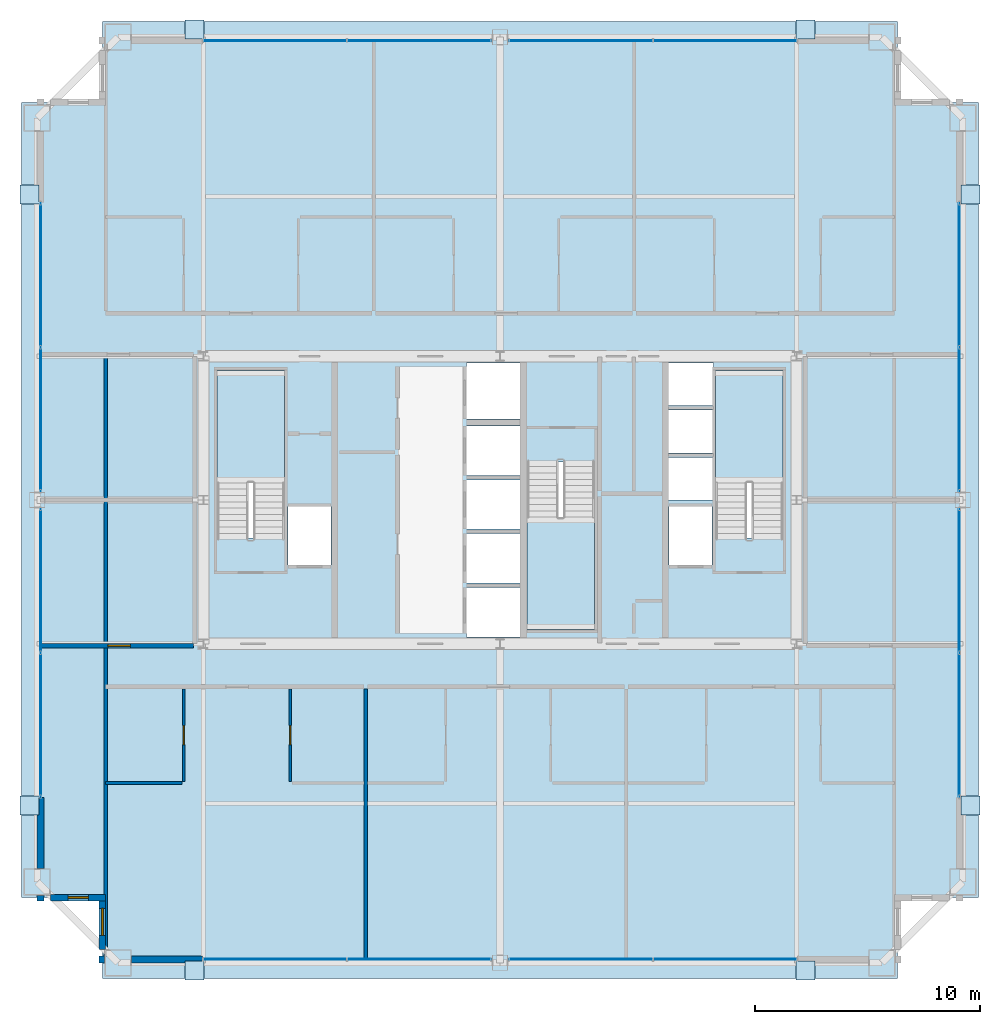
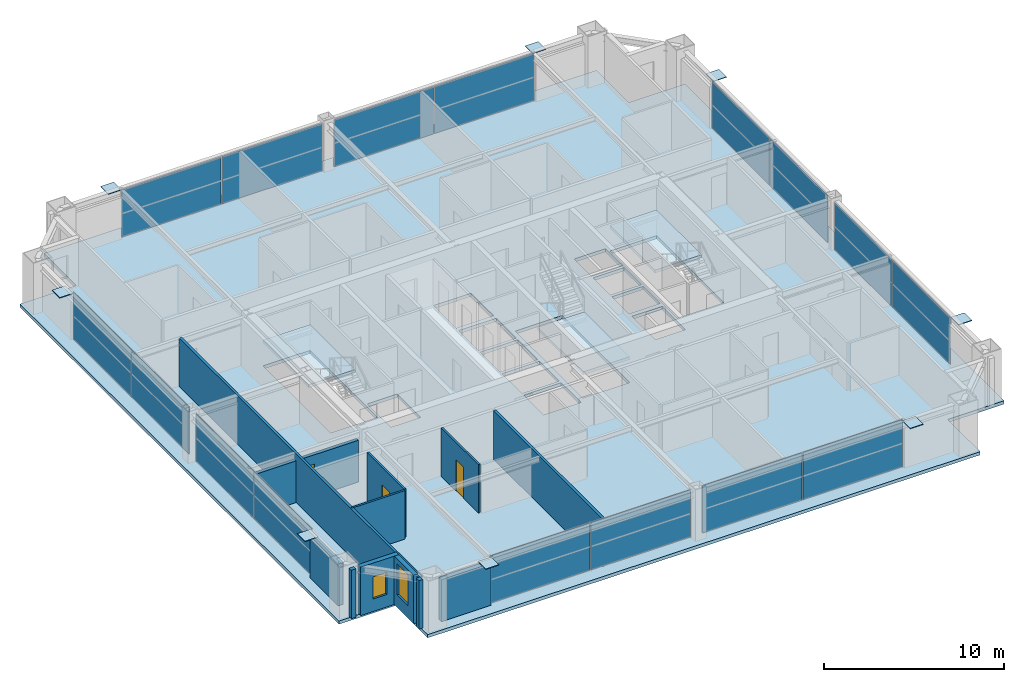
# One storey, part 31 of 36: 24 plates, 12 walls, 4 slabs, 3 doors, 2 windows, 5 openings, 11 elements without a shape of their own.
"""IFC4 building model written with IfcOpenShell, lengths in metres."""

from ifc_helpers import new_model, si_unit, direction, frame, frame_2d, origin, origin_2d, place, context, subcontext, project, spatial, polyline, rectangle, outline, extrude, source, transform, mapped, material, layer, layer_set, type_object, element, fill, aggregate, save


model = new_model("IFC4")

# Units and contexts
model_context = context("Model", 3, precision=1e-05, world=origin(), true_north=direction((0.0, 1.0)))
body_context = subcontext(model_context, "Body", "Model", "MODEL_VIEW")
ifc_project = project(units=[si_unit("LENGTHUNIT", "METRE"), si_unit("AREAUNIT", "SQUARE_METRE"), si_unit("VOLUMEUNIT", "CUBIC_METRE"), si_unit("PLANEANGLEUNIT", "RADIAN"), si_unit("MASSUNIT", "GRAM", prefix="KILO"), si_unit("THERMODYNAMICTEMPERATUREUNIT", "KELVIN"), si_unit("POWERUNIT", "WATT")], contexts=[model_context])

# Site, building, storey
site_placement = place(None, origin())
site = spatial("IfcSite", under=ifc_project, at=site_placement, CompositionType="ELEMENT")
building_placement = place(site_placement, origin())
building = spatial("IfcBuilding", under=site, at=building_placement, Name="Yuzanri Waterfront Tower", CompositionType="ELEMENT")
storey_placement = place(building_placement, frame((0.0, 0.0, 238.10009765625)))
storey = spatial("IfcBuildingStorey", under=building, at=storey_placement, Name="L63", CompositionType="ELEMENT", Elevation=238.10009765625)

# Stair, slab
ifc_material_1 = material(Name="Concrete C40", Category="concrete")
stair_type = type_object("IfcStairType", Name="Concrete C40 Core Dogleg Exit Stair", PredefinedType="HALF_TURN_STAIR", material=ifc_material_1)
stair_1_placement = place(storey_placement, origin())
stair_1 = element("IfcStair", 1, at=stair_1_placement, inside=storey, type_object=stair_type, Name="L63 Smoke-Proof Core Stair ST-01", PredefinedType="HALF_TURN_STAIR")
ifc_material_2 = material(Name="Concrete C40", Category="concrete")
ifc_layer_1 = layer(ifc_material_2, 0.179931640625)
ifc_layer_set_1 = layer_set([ifc_layer_1], Name="Concrete C40")
slab_type_1 = type_object("IfcSlabType", Name="Concrete C40 Stair Half-Landing Slab 180", PredefinedType="LANDING", material=ifc_layer_set_1)
slab_1_placement = place(storey_placement, frame((0.0, 0.0, 1.5498046875)))
slab_1 = element("IfcSlab", 2, at=slab_1_placement, type_object=slab_type_1, Name="ST-01 landing 1", PredefinedType="LANDING", context=body_context, shape_type="SweptSolid", body=[
    extrude(outline(polyline([(27.39990234375, 26.56005859375), (27.39990234375, 31.580078125), (24.39990234375, 31.580078125), (24.39990234375, 26.56005859375), (27.39990234375, 26.56005859375)])), origin(), (0.0, 0.0, 1.0), 0.2001953125),
])
aggregate(stair_1, [slab_1])

stair_2_placement = place(storey_placement, origin())
stair_2 = element("IfcStair", 3, at=stair_2_placement, inside=storey, type_object=stair_type, Name="L63 Smoke-Proof Core Stair ST-02", PredefinedType="HALF_TURN_STAIR")
slab_2_placement = place(storey_placement, frame((0.0, 0.0, 1.5498046875)))
slab_2 = element("IfcSlab", 4, at=slab_2_placement, type_object=slab_type_1, Name="ST-02 landing 1", PredefinedType="LANDING", context=body_context, shape_type="SweptSolid", body=[
    extrude(outline(polyline([(49.60009765625, 26.56005859375), (49.60009765625, 31.580078125), (46.60009765625, 31.580078125), (46.60009765625, 26.56005859375), (49.60009765625, 26.56005859375)])), origin(), (0.0, 0.0, 1.0), 0.2001953125),
])
aggregate(stair_2, [slab_2])

stair_3_placement = place(storey_placement, origin())
stair_3 = element("IfcStair", 5, at=stair_3_placement, inside=storey, type_object=stair_type, Name="L63 Smoke-Proof Core Stair ST-03", PredefinedType="HALF_TURN_STAIR")
slab_3_placement = place(storey_placement, frame((0.0, 0.0, 1.5498046875)))
slab_3 = element("IfcSlab", 6, at=slab_3_placement, type_object=slab_type_1, Name="ST-03 landing 1", PredefinedType="LANDING", context=body_context, shape_type="SweptSolid", body=[
    extrude(outline(polyline([(38.199951171875, 25.0400390625), (38.199951171875, 20.02001953125), (41.199951171875, 20.02001953125), (41.199951171875, 25.0400390625), (38.199951171875, 25.0400390625)])), origin(), (0.0, 0.0, 1.0), 0.2001953125),
])
aggregate(stair_3, [slab_3])

# Slab
ifc_material_3 = material(Name="Concrete C40", Category="concrete")
ifc_layer_2 = layer(ifc_material_3, 0.219970703125)
ifc_layer_set_2 = layer_set([ifc_layer_2], Name="Concrete C40")
slab_type_2 = type_object("IfcSlabType", Name="Concrete C40 Tower Typical Structural Floor Slab 220", PredefinedType="FLOOR", material=ifc_layer_set_2)
slab_4_placement = place(storey_placement, frame((0.0, 0.0, -0.22021484375)))
element("IfcSlab", 7, at=slab_4_placement, inside=storey, type_object=slab_type_2, Name="L63 Main Structural Floor Slab", PredefinedType="FLOOR", context=body_context, shape_type="SweptSolid", body=[
    extrude(outline(polyline([(19.300048828125, 4.5), (54.699951171875, 4.5), (54.699951171875, 8.10009765625), (58.300048828125, 8.10009765625), (58.300048828125, 43.5), (54.699951171875, 43.5), (54.699951171875, 47.10009765625), (19.300048828125, 47.10009765625), (19.300048828125, 43.5), (15.699951171875, 43.5), (15.699951171875, 8.10009765625), (19.300048828125, 8.10009765625), (19.300048828125, 4.5)]), holes=[polyline([(27.39990234375, 24.10009765625), (27.39990234375, 31.580078125), (24.39990234375, 31.580078125), (24.39990234375, 24.10009765625), (27.39990234375, 24.10009765625)]), polyline([(49.60009765625, 24.10009765625), (49.60009765625, 31.580078125), (46.60009765625, 31.580078125), (46.60009765625, 24.10009765625), (49.60009765625, 24.10009765625)]), polyline([(38.199951171875, 27.5), (38.199951171875, 20.02001953125), (41.199951171875, 20.02001953125), (41.199951171875, 27.5), (38.199951171875, 27.5)]), polyline([(27.56005859375, 22.89990234375), (29.47998046875, 22.89990234375), (29.47998046875, 25.5), (27.56005859375, 25.5), (27.56005859375, 22.89990234375)]), polyline([(44.52001953125, 22.89990234375), (46.43994140625, 22.89990234375), (46.43994140625, 25.5), (44.52001953125, 25.5), (44.52001953125, 22.89990234375)]), polyline([(35.5, 19.699951171875), (37.89990234375, 19.699951171875), (37.89990234375, 21.89990234375), (35.5, 21.89990234375), (35.5, 19.699951171875)]), polyline([(35.5, 22.10009765625), (37.89990234375, 22.10009765625), (37.89990234375, 24.300048828125), (35.5, 24.300048828125), (35.5, 22.10009765625)]), polyline([(35.5, 24.5), (37.89990234375, 24.5), (37.89990234375, 26.699951171875), (35.5, 26.699951171875), (35.5, 24.5)]), polyline([(35.5, 26.89990234375), (37.89990234375, 26.89990234375), (37.89990234375, 29.10009765625), (35.5, 29.10009765625), (35.5, 26.89990234375)]), polyline([(35.5, 29.39990234375), (37.89990234375, 29.39990234375), (37.89990234375, 31.89990234375), (35.5, 31.89990234375), (35.5, 29.39990234375)]), polyline([(44.5, 25.800048828125), (46.5, 25.800048828125), (46.5, 27.699951171875), (44.5, 27.699951171875), (44.5, 25.800048828125)]), polyline([(44.5, 27.89990234375), (46.5, 27.89990234375), (46.5, 29.800048828125), (44.5, 29.800048828125), (44.5, 27.89990234375)]), polyline([(44.5, 30.0), (46.5, 30.0), (46.5, 31.89990234375), (44.5, 31.89990234375), (44.5, 30.0)])]), origin(), (0.0, 0.0, 1.0), 0.22021484375),
])

# Plates
ifc_material_4 = material(Name="Steel Q420GJC", Category="steel")
ifc_layer_3 = layer(ifc_material_4, 0.0400390625)
ifc_layer_set_3 = layer_set([ifc_layer_3], Name="Steel Q420GJC")
plate_type_1 = type_object("IfcPlateType", Name="Steel Q420GJC Mega-Brace Gusset and End-Cap Plate 40", PredefinedType="SHEET", material=ifc_layer_set_3)
shared_shape_1 = source(origin(), body_context, "Body", "SweptSolid", [
    extrude(rectangle(XDim=0.85009765625, YDim=0.85009765625, at=origin_2d()), origin(), (0.0, 0.0, 1.0), 0.0400390625),
])
for number, where, z_axis, x_axis, name in (
    (8, (23.39990234375, 4.860107421875, 3.159912109375), (0.0, 0.0, 1.0), (1.0, 0.0, 0.0), "L63 Mega-Brace Apex Cap Plate S-L"),
    (9, (50.60009765625, 4.860107421875, 3.159912109375), (0.0, 0.0, 1.0), (1.0, 0.0, 0.0), "L63 Mega-Brace Apex Cap Plate S-R"),
    (10, (23.39990234375, 46.739990234375, 3.159912109375), (0.0, 0.0, 1.0), (1.0, 0.0, 0.0), "L63 Mega-Brace Apex Cap Plate N-L"),
    (11, (50.60009765625, 46.739990234375, 3.159912109375), (0.0, 0.0, 1.0), (1.0, 0.0, 0.0), "L63 Mega-Brace Apex Cap Plate N-R"),
    (12, (16.06005859375, 12.199951171875, 3.159912109375), (0.0, 0.0, 1.0), (1.0, 0.0, 0.0), "L63 Mega-Brace Apex Cap Plate W-L"),
    (13, (16.06005859375, 39.39990234375, 3.159912109375), (0.0, 0.0, 1.0), (1.0, 0.0, 0.0), "L63 Mega-Brace Apex Cap Plate W-R"),
    (14, (57.93994140625, 12.199951171875, 3.159912109375), (0.0, 0.0, 1.0), (1.0, 0.0, 0.0), "L63 Mega-Brace Apex Cap Plate E-L"),
    (15, (57.93994140625, 39.39990234375, 3.159912109375), (0.0, 0.0, 1.0), (1.0, 0.0, 0.0), "L63 Mega-Brace Apex Cap Plate E-R"),
):
    element("IfcPlate", number, at=place(storey_placement, frame(where, z_axis=z_axis, x_axis=x_axis)), inside=storey, type_object=plate_type_1, Name=name, PredefinedType="SHEET", context=body_context, shape_type="MappedRepresentation", body=[
        mapped(shared_shape_1, transform((0.0, 0.0, 0.0), scale=1.0)),
    ])

# Curtain wall, plates
ifc_material_5 = material(Name="Anodized Architectural Bronze", Category="metal")
ifc_layer_4 = layer(ifc_material_5, 0.159912109375)
ifc_layer_set_4 = layer_set([ifc_layer_4], Name="Anodized Architectural Bronze")
curtain_wall_type = type_object("IfcCurtainWallType", Name="Anodized Bronze Mid-Rise Residential Acoustic Unitized Curtain Wall 7200", PredefinedType="NOTDEFINED", material=ifc_layer_set_4)
curtain_wall_1_placement = place(storey_placement, origin())
curtain_wall_1 = element("IfcCurtainWall", 16, at=curtain_wall_1_placement, inside=storey, type_object=curtain_wall_type, Name="L63 Curtain Wall CW-L63-SL", PredefinedType="NOTDEFINED")
ifc_material_6 = material(Name="Triple Low-E Laminated Insulated Glass", Category="glass")
ifc_layer_5 = layer(ifc_material_6, 0.0439453125)
ifc_layer_set_5 = layer_set([ifc_layer_5], Name="Triple Low-E Laminated Insulated Glass")
plate_type_2 = type_object("IfcPlateType", Name="Triple Glazed Acoustic Vision Glass Panel 44", PredefinedType="CURTAIN_PANEL", material=ifc_layer_set_5)
shared_shape_2 = source(origin(), body_context, "Body", "SweptSolid", [
    extrude(rectangle(XDim=6.3701171875, YDim=0.0439453125, at=origin_2d()), origin(), (0.0, 0.0, 1.0), 3.179931640625),
])
plate_1_placement = place(storey_placement, frame((26.97509765625, 5.35009765625, 0.0498046875), z_axis=(0.0, 0.0, 1.0), x_axis=(1.0, 0.0, 0.0)))
plate_1 = element("IfcPlate", 17, at=plate_1_placement, type_object=plate_type_2, Name="CW-L63-SL Vision Glass Panel 01", PredefinedType="CURTAIN_PANEL", context=body_context, shape_type="MappedRepresentation", body=[
    mapped(shared_shape_2, transform((0.0, 0.0, 0.0), scale=1.0)),
])
plate_2_placement = place(storey_placement, frame((33.425048828125, 5.35009765625, 0.0498046875), z_axis=(0.0, 0.0, 1.0), x_axis=(1.0, 0.0, 0.0)))
plate_2 = element("IfcPlate", 18, at=plate_2_placement, type_object=plate_type_2, Name="CW-L63-SL Vision Glass Panel 02", PredefinedType="CURTAIN_PANEL", context=body_context, shape_type="MappedRepresentation", body=[
    mapped(shared_shape_2, transform((0.0, 0.0, 0.0), scale=1.0)),
])
aggregate(curtain_wall_1, [plate_1, plate_2])

curtain_wall_2_placement = place(storey_placement, origin())
curtain_wall_2 = element("IfcCurtainWall", 19, at=curtain_wall_2_placement, inside=storey, type_object=curtain_wall_type, Name="L63 Curtain Wall CW-L63-SR", PredefinedType="NOTDEFINED")
plate_3_placement = place(storey_placement, frame((40.574951171875, 5.35009765625, 0.0498046875), z_axis=(0.0, 0.0, 1.0), x_axis=(1.0, 0.0, 0.0)))
plate_3 = element("IfcPlate", 20, at=plate_3_placement, type_object=plate_type_2, Name="CW-L63-SR Vision Glass Panel 01", PredefinedType="CURTAIN_PANEL", context=body_context, shape_type="MappedRepresentation", body=[
    mapped(shared_shape_2, transform((0.0, 0.0, 0.0), scale=1.0)),
])
plate_4_placement = place(storey_placement, frame((47.02490234375, 5.35009765625, 0.0498046875), z_axis=(0.0, 0.0, 1.0), x_axis=(1.0, 0.0, 0.0)))
plate_4 = element("IfcPlate", 21, at=plate_4_placement, type_object=plate_type_2, Name="CW-L63-SR Vision Glass Panel 02", PredefinedType="CURTAIN_PANEL", context=body_context, shape_type="MappedRepresentation", body=[
    mapped(shared_shape_2, transform((0.0, 0.0, 0.0), scale=1.0)),
])
aggregate(curtain_wall_2, [plate_3, plate_4])

curtain_wall_3_placement = place(storey_placement, origin())
curtain_wall_3 = element("IfcCurtainWall", 22, at=curtain_wall_3_placement, inside=storey, type_object=curtain_wall_type, Name="L63 Curtain Wall CW-L63-NL", PredefinedType="NOTDEFINED")
plate_5_placement = place(storey_placement, frame((26.97509765625, 46.25, 0.0498046875), z_axis=(0.0, 0.0, 1.0), x_axis=(1.0, 0.0, 0.0)))
plate_5 = element("IfcPlate", 23, at=plate_5_placement, type_object=plate_type_2, Name="CW-L63-NL Vision Glass Panel 01", PredefinedType="CURTAIN_PANEL", context=body_context, shape_type="MappedRepresentation", body=[
    mapped(shared_shape_2, transform((0.0, 0.0, 0.0), scale=1.0)),
])
plate_6_placement = place(storey_placement, frame((33.425048828125, 46.25, 0.0498046875), z_axis=(0.0, 0.0, 1.0), x_axis=(1.0, 0.0, 0.0)))
plate_6 = element("IfcPlate", 24, at=plate_6_placement, type_object=plate_type_2, Name="CW-L63-NL Vision Glass Panel 02", PredefinedType="CURTAIN_PANEL", context=body_context, shape_type="MappedRepresentation", body=[
    mapped(shared_shape_2, transform((0.0, 0.0, 0.0), scale=1.0)),
])
aggregate(curtain_wall_3, [plate_5, plate_6])

curtain_wall_4_placement = place(storey_placement, origin())
curtain_wall_4 = element("IfcCurtainWall", 25, at=curtain_wall_4_placement, inside=storey, type_object=curtain_wall_type, Name="L63 Curtain Wall CW-L63-NR", PredefinedType="NOTDEFINED")
plate_7_placement = place(storey_placement, frame((40.574951171875, 46.25, 0.0498046875), z_axis=(0.0, 0.0, 1.0), x_axis=(1.0, 0.0, 0.0)))
plate_7 = element("IfcPlate", 26, at=plate_7_placement, type_object=plate_type_2, Name="CW-L63-NR Vision Glass Panel 01", PredefinedType="CURTAIN_PANEL", context=body_context, shape_type="MappedRepresentation", body=[
    mapped(shared_shape_2, transform((0.0, 0.0, 0.0), scale=1.0)),
])
plate_8_placement = place(storey_placement, frame((47.02490234375, 46.25, 0.0498046875), z_axis=(0.0, 0.0, 1.0), x_axis=(1.0, 0.0, 0.0)))
plate_8 = element("IfcPlate", 27, at=plate_8_placement, type_object=plate_type_2, Name="CW-L63-NR Vision Glass Panel 02", PredefinedType="CURTAIN_PANEL", context=body_context, shape_type="MappedRepresentation", body=[
    mapped(shared_shape_2, transform((0.0, 0.0, 0.0), scale=1.0)),
])
aggregate(curtain_wall_4, [plate_7, plate_8])

curtain_wall_5_placement = place(storey_placement, origin())
curtain_wall_5 = element("IfcCurtainWall", 28, at=curtain_wall_5_placement, inside=storey, type_object=curtain_wall_type, Name="L63 Curtain Wall CW-L63-WL", PredefinedType="NOTDEFINED")
plate_9_placement = place(storey_placement, frame((16.550048828125, 15.77490234375, 0.0498046875), z_axis=(0.0, 0.0, 1.0), x_axis=(0.0, 1.0, 0.0)))
plate_9 = element("IfcPlate", 29, at=plate_9_placement, type_object=plate_type_2, Name="CW-L63-WL Vision Glass Panel 01", PredefinedType="CURTAIN_PANEL", context=body_context, shape_type="MappedRepresentation", body=[
    mapped(shared_shape_2, transform((0.0, 0.0, 0.0), scale=1.0)),
])
plate_10_placement = place(storey_placement, frame((16.550048828125, 22.22509765625, 0.0498046875), z_axis=(0.0, 0.0, 1.0), x_axis=(0.0, 1.0, 0.0)))
plate_10 = element("IfcPlate", 30, at=plate_10_placement, type_object=plate_type_2, Name="CW-L63-WL Vision Glass Panel 02", PredefinedType="CURTAIN_PANEL", context=body_context, shape_type="MappedRepresentation", body=[
    mapped(shared_shape_2, transform((0.0, 0.0, 0.0), scale=1.0)),
])
aggregate(curtain_wall_5, [plate_9, plate_10])

curtain_wall_6_placement = place(storey_placement, origin())
curtain_wall_6 = element("IfcCurtainWall", 31, at=curtain_wall_6_placement, inside=storey, type_object=curtain_wall_type, Name="L63 Curtain Wall CW-L63-WR", PredefinedType="NOTDEFINED")
plate_11_placement = place(storey_placement, frame((16.550048828125, 29.375, 0.0498046875), z_axis=(0.0, 0.0, 1.0), x_axis=(0.0, 1.0, 0.0)))
plate_11 = element("IfcPlate", 32, at=plate_11_placement, type_object=plate_type_2, Name="CW-L63-WR Vision Glass Panel 01", PredefinedType="CURTAIN_PANEL", context=body_context, shape_type="MappedRepresentation", body=[
    mapped(shared_shape_2, transform((0.0, 0.0, 0.0), scale=1.0)),
])
plate_12_placement = place(storey_placement, frame((16.550048828125, 35.824951171875, 0.0498046875), z_axis=(0.0, 0.0, 1.0), x_axis=(0.0, 1.0, 0.0)))
plate_12 = element("IfcPlate", 33, at=plate_12_placement, type_object=plate_type_2, Name="CW-L63-WR Vision Glass Panel 02", PredefinedType="CURTAIN_PANEL", context=body_context, shape_type="MappedRepresentation", body=[
    mapped(shared_shape_2, transform((0.0, 0.0, 0.0), scale=1.0)),
])
aggregate(curtain_wall_6, [plate_11, plate_12])

curtain_wall_7_placement = place(storey_placement, origin())
curtain_wall_7 = element("IfcCurtainWall", 34, at=curtain_wall_7_placement, inside=storey, type_object=curtain_wall_type, Name="L63 Curtain Wall CW-L63-EL", PredefinedType="NOTDEFINED")
plate_13_placement = place(storey_placement, frame((57.449951171875, 15.77490234375, 0.0498046875), z_axis=(0.0, 0.0, 1.0), x_axis=(0.0, 1.0, 0.0)))
plate_13 = element("IfcPlate", 35, at=plate_13_placement, type_object=plate_type_2, Name="CW-L63-EL Vision Glass Panel 01", PredefinedType="CURTAIN_PANEL", context=body_context, shape_type="MappedRepresentation", body=[
    mapped(shared_shape_2, transform((0.0, 0.0, 0.0), scale=1.0)),
])
plate_14_placement = place(storey_placement, frame((57.449951171875, 22.22509765625, 0.0498046875), z_axis=(0.0, 0.0, 1.0), x_axis=(0.0, 1.0, 0.0)))
plate_14 = element("IfcPlate", 36, at=plate_14_placement, type_object=plate_type_2, Name="CW-L63-EL Vision Glass Panel 02", PredefinedType="CURTAIN_PANEL", context=body_context, shape_type="MappedRepresentation", body=[
    mapped(shared_shape_2, transform((0.0, 0.0, 0.0), scale=1.0)),
])
aggregate(curtain_wall_7, [plate_13, plate_14])

curtain_wall_8_placement = place(storey_placement, origin())
curtain_wall_8 = element("IfcCurtainWall", 37, at=curtain_wall_8_placement, inside=storey, type_object=curtain_wall_type, Name="L63 Curtain Wall CW-L63-ER", PredefinedType="NOTDEFINED")
plate_15_placement = place(storey_placement, frame((57.449951171875, 29.375, 0.0498046875), z_axis=(0.0, 0.0, 1.0), x_axis=(0.0, 1.0, 0.0)))
plate_15 = element("IfcPlate", 38, at=plate_15_placement, type_object=plate_type_2, Name="CW-L63-ER Vision Glass Panel 01", PredefinedType="CURTAIN_PANEL", context=body_context, shape_type="MappedRepresentation", body=[
    mapped(shared_shape_2, transform((0.0, 0.0, 0.0), scale=1.0)),
])
plate_16_placement = place(storey_placement, frame((57.449951171875, 35.824951171875, 0.0498046875), z_axis=(0.0, 0.0, 1.0), x_axis=(0.0, 1.0, 0.0)))
plate_16 = element("IfcPlate", 39, at=plate_16_placement, type_object=plate_type_2, Name="CW-L63-ER Vision Glass Panel 02", PredefinedType="CURTAIN_PANEL", context=body_context, shape_type="MappedRepresentation", body=[
    mapped(shared_shape_2, transform((0.0, 0.0, 0.0), scale=1.0)),
])
aggregate(curtain_wall_8, [plate_15, plate_16])

# Wall, opening, door
ifc_material_7 = material(Name="Moisture-Resistant Gypsum Stud Wall", Category="gypsum")
ifc_layer_6 = layer(ifc_material_7, 0.1201171875)
ifc_layer_set_6 = layer_set([ifc_layer_6], Name="Moisture-Resistant Gypsum Stud Wall")
wall_type_1 = type_object("IfcWallType", Name="Bathroom and Kitchen Wet Partition 120", PredefinedType="PARTITIONING", material=ifc_layer_set_6)
wall_1_placement = place(storey_placement, frame((22.919921875, 13.280029296875, 0.0), z_axis=(0.0, 0.0, 1.0), x_axis=(0.0, 1.0, 0.0)))
wall_1 = element("IfcWall", 40, at=wall_1_placement, inside=storey, type_object=wall_type_1, Name="L63 Partition UW-L63-RS1-SUB-1-E", PredefinedType="PARTITIONING", context=body_context, shape_type="SweptSolid", body=[
    extrude(rectangle(XDim=4.10986328125, YDim=0.1201171875, at=frame_2d((2.054931640625, 0.0))), origin(), (0.0, 0.0, 1.0), 3.27978515625),
])
opening_1_placement = place(wall_1_placement, frame((1.6298828125, 0.0, 0.0)))
opening_1 = element("IfcOpeningElement", 41, at=opening_1_placement, cuts=wall_1, Name="Opening ID-0850", PredefinedType="OPENING", context=body_context, shape_type="SweptSolid", body=[
    extrude(rectangle(XDim=0.85009765625, YDim=2.10009765625, at=frame_2d((0.425048828125, 1.050048828125))), frame((0.0, 0.074951171875, 0.0), z_axis=(0.0, -1.0, 0.0), x_axis=(1.0, 0.0, 0.0)), (0.0, 0.0, 1.0), 0.14990234375),
])
ifc_material_8 = material(Name="Moisture-Resistant Lacquered Timber", Category="wood")
door_type_1 = type_object("IfcDoorType", Name="En-Suite Bathroom and Kitchen Swing Door 850x2100", OperationType="NOTDEFINED", PredefinedType="DOOR", material=ifc_material_8)
shared_shape_3 = source(origin(), body_context, "Body", "SweptSolid", [
    extrude(rectangle(XDim=0.85009765625, YDim=2.10009765625, at=frame_2d((0.425048828125, 1.050048828125))), frame((0.0, 0.02490234375, 0.0), z_axis=(0.0, -1.0, 0.0), x_axis=(1.0, 0.0, 0.0)), (0.0, 0.0, 1.0), 0.050048828125),
])
door_1_placement = place(opening_1_placement, origin())
door_1 = element("IfcDoor", 42, at=door_1_placement, inside=storey, type_object=door_type_1, Name="L63 Suite Interior Room Door", OperationType="SINGLE_SWING_LEFT", OverallHeight=2.10009765625, OverallWidth=0.85009765625, PredefinedType="DOOR", context=body_context, shape_type="MappedRepresentation", body=[
    mapped(shared_shape_3, transform((0.0, 0.0, 0.0), scale=1.0)),
])
fill(opening_1, door_1)

wall_2_placement = place(storey_placement, frame((27.669921875, 13.280029296875, 0.0), z_axis=(0.0, 0.0, 1.0), x_axis=(0.0, 1.0, 0.0)))
wall_2 = element("IfcWall", 43, at=wall_2_placement, inside=storey, type_object=wall_type_1, Name="L63 Partition UW-L63-RS1-SUB-2-W", PredefinedType="PARTITIONING", context=body_context, shape_type="SweptSolid", body=[
    extrude(rectangle(XDim=4.10986328125, YDim=0.1201171875, at=frame_2d((2.054931640625, 0.0))), origin(), (0.0, 0.0, 1.0), 3.27978515625),
])
opening_2_placement = place(wall_2_placement, frame((1.6298828125, 0.0, 0.0)))
opening_2 = element("IfcOpeningElement", 44, at=opening_2_placement, cuts=wall_2, Name="Opening ID-0850", PredefinedType="OPENING", context=body_context, shape_type="SweptSolid", body=[
    extrude(rectangle(XDim=0.85009765625, YDim=2.10009765625, at=frame_2d((0.425048828125, 1.050048828125))), frame((0.0, 0.074951171875, 0.0), z_axis=(0.0, -1.0, 0.0), x_axis=(1.0, 0.0, 0.0)), (0.0, 0.0, 1.0), 0.14990234375),
])
door_2_placement = place(opening_2_placement, origin())
door_2 = element("IfcDoor", 45, at=door_2_placement, inside=storey, type_object=door_type_1, Name="L63 Suite Interior Room Door", OperationType="SINGLE_SWING_RIGHT", OverallHeight=2.10009765625, OverallWidth=0.85009765625, PredefinedType="DOOR", context=body_context, shape_type="MappedRepresentation", body=[
    mapped(shared_shape_3, transform((0.0, 0.0, 0.0), scale=1.0)),
])
fill(opening_2, door_2)

# Wall, opening, window
ifc_material_9 = material(Name="Honed Chongqing Dark Basalt Stone", Category="masonry")
ifc_layer_7 = layer(ifc_material_9, 0.300048828125)
ifc_layer_set_7 = layer_set([ifc_layer_7], Name="Honed Chongqing Dark Basalt Stone")
wall_type_2 = type_object("IfcWallType", Name="Bronze Rainscreen Insulated Spandrel Portal Wall 300", PredefinedType="SOLIDWALL", material=ifc_layer_set_7)
wall_3_placement = place(storey_placement, frame((17.0, 8.10009765625, 0.0), z_axis=(0.0, 0.0, 1.0), x_axis=(1.0, 0.0, 0.0)))
wall_3 = element("IfcWall", 46, at=wall_3_placement, inside=storey, type_object=wall_type_2, Name="L63 Notched Corner Masonry Wall SW-X", PredefinedType="SOLIDWALL", context=body_context, shape_type="SweptSolid", body=[
    extrude(rectangle(XDim=2.449951171875, YDim=0.300048828125, at=frame_2d((1.22509765625, 0.0))), origin(), (0.0, 0.0, 1.0), 3.27978515625),
])
opening_3_placement = place(wall_3_placement, frame((0.77490234375, 0.0, 0.85009765625)))
opening_3 = element("IfcOpeningElement", 47, at=opening_3_placement, cuts=wall_3, Name="Opening WN-05", PredefinedType="OPENING", context=body_context, shape_type="SweptSolid", body=[
    extrude(rectangle(XDim=0.89990234375, YDim=1.5, at=frame_2d((0.449951171875, 0.75))), frame((0.0, 0.1650390625, 0.0), z_axis=(0.0, -1.0, 0.0), x_axis=(1.0, 0.0, 0.0)), (0.0, 0.0, 1.0), 0.329833984375),
])
ifc_material_10 = material(Name="Double-Silver Low-E Insulated Glass", Category="glass")
window_type_1 = type_object("IfcWindowType", Name="Anodized Bronze Service and Stairwell Smoke-Vent Window 900x1500", PartitioningType="SINGLE_PANEL", PredefinedType="WINDOW", material=ifc_material_10)
shared_shape_4 = source(origin(), body_context, "Body", "SweptSolid", [
    extrude(rectangle(XDim=0.89990234375, YDim=1.5, at=frame_2d((0.449951171875, 0.75))), frame((0.0, 0.030029296875, 0.0), z_axis=(0.0, -1.0, 0.0), x_axis=(1.0, 0.0, 0.0)), (0.0, 0.0, 1.0), 0.06005859375),
])
window_1_placement = place(opening_3_placement, origin())
window_1 = element("IfcWindow", 48, at=window_1_placement, inside=storey, type_object=window_type_1, Name="L63 Notched Corner Window SW-X", OverallHeight=1.5, OverallWidth=0.89990234375, PartitioningType="SINGLE_PANEL", PredefinedType="WINDOW", context=body_context, shape_type="MappedRepresentation", body=[
    mapped(shared_shape_4, transform((0.0, 0.0, 0.0), scale=1.0)),
])
fill(opening_3, window_1)

wall_4_placement = place(storey_placement, frame((19.300048828125, 8.25, 0.0), z_axis=(0.0, 0.0, 1.0), x_axis=(0.0, -1.0, 0.0)))
wall_4 = element("IfcWall", 49, at=wall_4_placement, inside=storey, type_object=wall_type_2, Name="L63 Notched Corner Masonry Wall SW-Y", PredefinedType="SOLIDWALL", context=body_context, shape_type="SweptSolid", body=[
    extrude(rectangle(XDim=2.449951171875, YDim=0.300048828125, at=frame_2d((1.22509765625, 0.0))), origin(), (0.0, 0.0, 1.0), 3.27978515625),
])
opening_4_placement = place(wall_4_placement, frame((0.625, 0.0, 0.85009765625)))
opening_4 = element("IfcOpeningElement", 50, at=opening_4_placement, cuts=wall_4, Name="Opening WN-02", PredefinedType="OPENING", context=body_context, shape_type="SweptSolid", body=[
    extrude(rectangle(XDim=1.199951171875, YDim=2.10009765625, at=frame_2d((0.60009765625, 1.050048828125))), frame((0.0, 0.1650390625, 0.0), z_axis=(0.0, -1.0, 0.0), x_axis=(1.0, 0.0, 0.0)), (0.0, 0.0, 1.0), 0.329833984375),
])
ifc_material_11 = material(Name="Double-Silver Low-E Insulated Glass", Category="glass")
window_type_2 = type_object("IfcWindowType", Name="Anodized Bronze Notched Corner Deep-Set Slot Window 1200x2100", PartitioningType="SINGLE_PANEL", PredefinedType="WINDOW", material=ifc_material_11)
shared_shape_5 = source(origin(), body_context, "Body", "SweptSolid", [
    extrude(rectangle(XDim=1.199951171875, YDim=2.10009765625, at=frame_2d((0.60009765625, 1.050048828125))), frame((0.0, 0.030029296875, 0.0), z_axis=(0.0, -1.0, 0.0), x_axis=(1.0, 0.0, 0.0)), (0.0, 0.0, 1.0), 0.06005859375),
])
window_2_placement = place(opening_4_placement, origin())
window_2 = element("IfcWindow", 51, at=window_2_placement, inside=storey, type_object=window_type_2, Name="L63 Notched Corner Window SW-Y", OverallHeight=2.10009765625, OverallWidth=1.199951171875, PartitioningType="SINGLE_PANEL", PredefinedType="WINDOW", context=body_context, shape_type="MappedRepresentation", body=[
    mapped(shared_shape_5, transform((0.0, 0.0, 0.0), scale=1.0)),
])
fill(opening_4, window_2)

# Wall, opening, door
ifc_material_12 = material(Name="Autoclaved Aerated Concrete Blockwork", Category="masonry")
ifc_layer_8 = layer(ifc_material_12, 0.199951171875)
ifc_layer_set_8 = layer_set([ifc_layer_8], Name="Autoclaved Aerated Concrete Blockwork")
wall_type_3 = type_object("IfcWallType", Name="Corridor and Unit Party Fire Wall 200", PredefinedType="PARTITIONING", material=ifc_layer_set_8)
wall_5_placement = place(storey_placement, frame((16.550048828125, 19.31005859375, 0.0), z_axis=(0.0, 0.0, 1.0), x_axis=(1.0, 0.0, 0.0)))
wall_5 = element("IfcWall", 52, at=wall_5_placement, inside=storey, type_object=wall_type_3, Name="L63 Partition UW-L63-036-CS", PredefinedType="PARTITIONING", context=body_context, shape_type="SweptSolid", body=[
    extrude(rectangle(XDim=6.800048828125, YDim=0.199951171875, at=frame_2d((3.39990234375, 0.0))), origin(), (0.0, 0.0, 1.0), 2.824951171875),
])
opening_5_placement = place(wall_5_placement, frame((3.0, 0.0, 0.0)))
opening_5 = element("IfcOpeningElement", 53, at=opening_5_placement, cuts=wall_5, Name="Opening FD-1000", PredefinedType="OPENING", context=body_context, shape_type="SweptSolid", body=[
    extrude(rectangle(XDim=1.0, YDim=2.199951171875, at=frame_2d((0.5, 1.10009765625))), frame((0.0, 0.11474609375, 0.0), z_axis=(0.0, -1.0, 0.0), x_axis=(1.0, 0.0, 0.0)), (0.0, 0.0, 1.0), 0.229736328125),
])
ifc_material_13 = material(Name="Engineered Oak Fire-Rated Timber", Category="wood")
door_type_2 = type_object("IfcDoorType", Name="Guestroom and Apartment Entrance Fire Door 1000x2200", OperationType="NOTDEFINED", PredefinedType="DOOR", material=ifc_material_13)
shared_shape_6 = source(origin(), body_context, "Body", "SweptSolid", [
    extrude(rectangle(XDim=1.0, YDim=2.199951171875, at=frame_2d((0.5, 1.10009765625))), frame((0.0, 0.02490234375, 0.0), z_axis=(0.0, -1.0, 0.0), x_axis=(1.0, 0.0, 0.0)), (0.0, 0.0, 1.0), 0.050048828125),
])
door_3_placement = place(opening_5_placement, origin())
door_3 = element("IfcDoor", 54, at=door_3_placement, inside=storey, type_object=door_type_2, Name="L63 Residents W Co-Working Office 1 Entrance Door", OperationType="SINGLE_SWING_RIGHT", OverallHeight=2.199951171875, OverallWidth=1.0, PredefinedType="DOOR", context=body_context, shape_type="MappedRepresentation", body=[
    mapped(shared_shape_6, transform((0.0, 0.0, 0.0), scale=1.0)),
])
fill(opening_5, door_3)

# Walls
shared_shape_7 = source(origin(), body_context, "Body", "SweptSolid", [
    extrude(rectangle(XDim=0.25, YDim=0.300048828125, at=frame_2d((0.125, 0.0))), origin(), (0.0, 0.0, 1.0), 3.27978515625),
])
for number, where, z_axis, x_axis, name in (
    (55, (19.14990234375, 5.35009765625, 0.0), (0.0, 0.0, 1.0), (1.0, 0.0, 0.0), "L63 Corner Column Shoulder Return CSW"),
    (56, (16.550048828125, 7.949951171875, 0.0), (0.0, 0.0, 1.0), (0.0, 1.0, 0.0), "L63 Corner Column Shoulder Return CWS"),
):
    element("IfcWall", number, at=place(storey_placement, frame(where, z_axis=z_axis, x_axis=x_axis)), inside=storey, type_object=wall_type_2, Name=name, PredefinedType="SOLIDWALL", context=body_context, shape_type="MappedRepresentation", body=[
        mapped(shared_shape_7, transform((0.0, 0.0, 0.0), scale=1.0)),
    ])
shared_shape_8 = source(origin(), body_context, "Body", "SweptSolid", [
    extrude(rectangle(XDim=3.14990234375, YDim=0.300048828125, at=frame_2d((1.574951171875, 0.0))), origin(), (0.0, 0.0, 1.0), 2.8349609375),
])
wall_6_placement = place(storey_placement, frame((20.60009765625, 5.35009765625, 0.0), z_axis=(0.0, 0.0, 1.0), x_axis=(1.0, 0.0, 0.0)))
element("IfcWall", 57, at=wall_6_placement, inside=storey, type_object=wall_type_2, Name="L63 S Left Braced Masonry Shoulder", PredefinedType="SOLIDWALL", context=body_context, shape_type="MappedRepresentation", body=[
    mapped(shared_shape_8, transform((0.0, 0.0, 0.0), scale=1.0)),
])
shared_shape_9 = source(origin(), body_context, "Body", "SweptSolid", [
    extrude(rectangle(XDim=3.150146484375, YDim=0.300048828125, at=frame_2d((1.5751953125, 0.0))), origin(), (0.0, 0.0, 1.0), 2.8349609375),
])
wall_7_placement = place(storey_placement, frame((16.550048828125, 9.39990234375, 0.0), z_axis=(0.0, 0.0, 1.0), x_axis=(0.0, 1.0, 0.0)))
element("IfcWall", 58, at=wall_7_placement, inside=storey, type_object=wall_type_2, Name="L63 W Left Braced Masonry Shoulder", PredefinedType="SOLIDWALL", context=body_context, shape_type="MappedRepresentation", body=[
    mapped(shared_shape_9, transform((0.0, 0.0, 0.0), scale=1.0)),
])
ifc_material_14 = material(Name="Gypsum Fireboard Acoustic Stud Wall", Category="gypsum")
ifc_layer_9 = layer(ifc_material_14, 0.159912109375)
ifc_layer_set_9 = layer_set([ifc_layer_9], Name="Gypsum Fireboard Acoustic Stud Wall")
wall_type_4 = type_object("IfcWallType", Name="Acoustic Suite Demising Partition 160", PredefinedType="PARTITIONING", material=ifc_layer_set_9)
shared_shape_10 = source(origin(), body_context, "Body", "SweptSolid", [
    extrude(rectangle(XDim=12.039794921875, YDim=0.159912109375, at=frame_2d((6.02001953125, 0.0))), origin(), (0.0, 0.0, 1.0), 3.27978515625),
])
wall_8_placement = place(storey_placement, frame((31.030029296875, 5.35009765625, 0.0), z_axis=(0.0, 0.0, 1.0), x_axis=(0.0, 1.0, 0.0)))
element("IfcWall", 59, at=wall_8_placement, inside=storey, type_object=wall_type_4, Name="L63-RS1 Party Wall", PredefinedType="PARTITIONING", context=body_context, shape_type="MappedRepresentation", body=[
    mapped(shared_shape_10, transform((0.0, 0.0, 0.0), scale=1.0)),
])
shared_shape_11 = source(origin(), body_context, "Body", "SweptSolid", [
    extrude(rectangle(XDim=3.400146484375, YDim=0.1201171875, at=frame_2d((1.7001953125, 0.0))), origin(), (0.0, 0.0, 1.0), 3.27978515625),
])
wall_9_placement = place(storey_placement, frame((19.43994140625, 13.199951171875, 0.0), z_axis=(0.0, 0.0, 1.0), x_axis=(1.0, 0.0, 0.0)))
element("IfcWall", 60, at=wall_9_placement, inside=storey, type_object=wall_type_1, Name="L63 Partition UW-L63-RS1-SUB-1-S", PredefinedType="PARTITIONING", context=body_context, shape_type="MappedRepresentation", body=[
    mapped(shared_shape_11, transform((0.0, 0.0, 0.0), scale=1.0)),
])
shared_shape_12 = source(origin(), body_context, "Body", "SweptSolid", [
    extrude(rectangle(XDim=26.68994140625, YDim=0.159912109375, at=frame_2d((13.344970703125, 0.0))), origin(), (0.0, 0.0, 1.0), 3.27978515625),
])
wall_10_placement = place(storey_placement, frame((19.449951171875, 5.5, 0.0), z_axis=(0.0, 0.0, 1.0), x_axis=(0.0, 1.0, 0.0)))
element("IfcWall", 61, at=wall_10_placement, inside=storey, type_object=wall_type_4, Name="L63 South Band West End Wall", PredefinedType="PARTITIONING", context=body_context, shape_type="MappedRepresentation", body=[
    mapped(shared_shape_12, transform((0.0, 0.0, 0.0), scale=1.0)),
])

save(model, "model.ifc")
